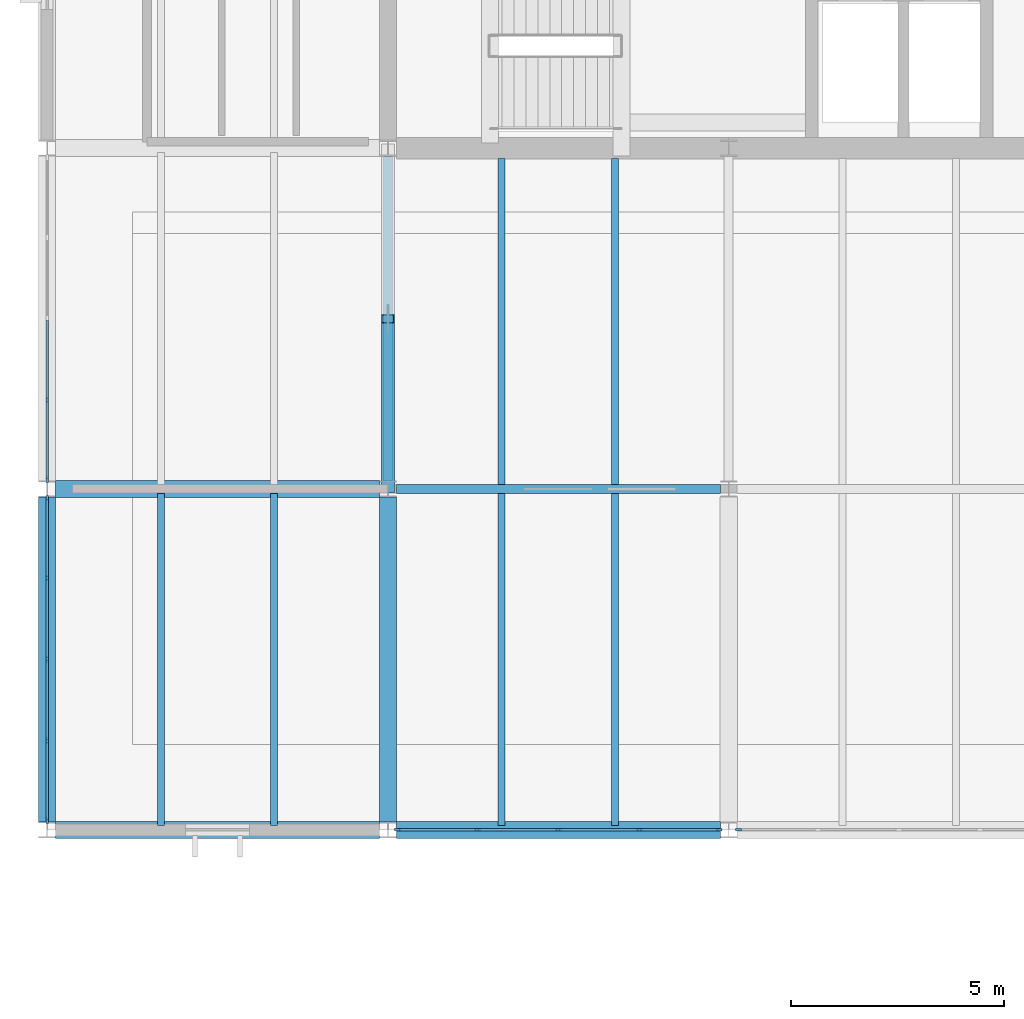
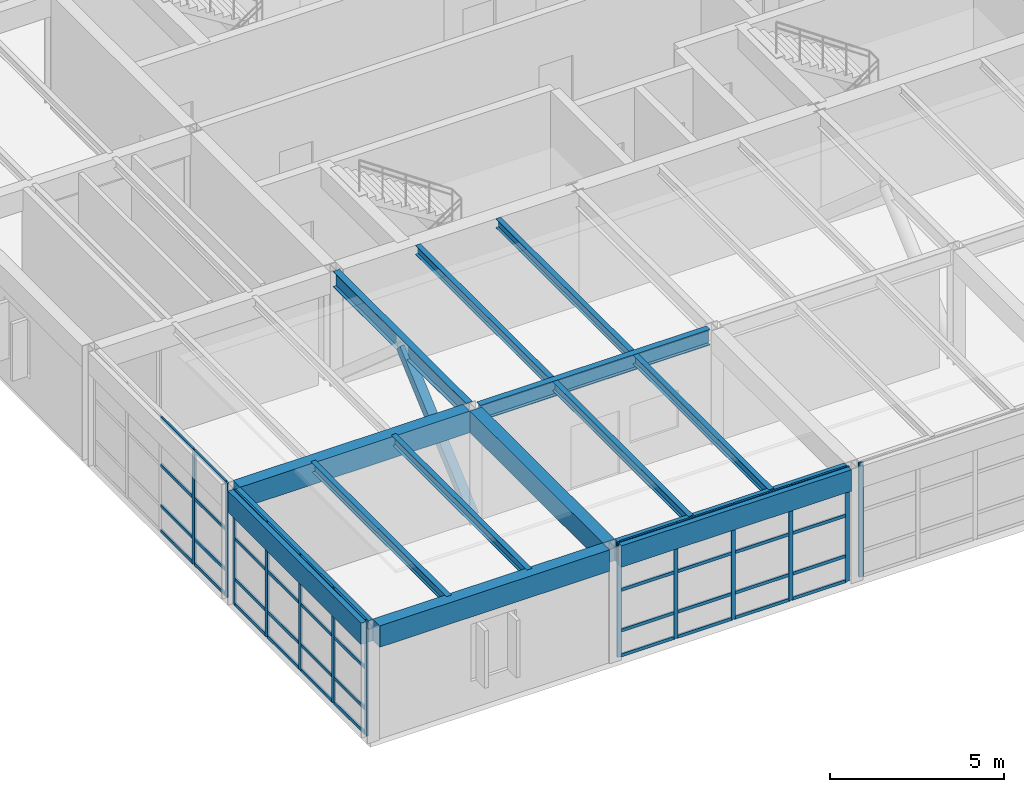
# One storey, part 7 of 48: 54 members, 13 beams, 4 elements without a shape of their own.
"""IFC4 building model written with IfcOpenShell, lengths in metres."""

from ifc_helpers import new_model, si_unit, direction, frame, origin, origin_2d, place, context, subcontext, project, spatial, rectangle, hollow_rectangle, i_section, extrude, material, layer, layer_set, material_profile, profile_set, type_object, element, aggregate, save


model = new_model("IFC4")

# Units and contexts
model_context = context("Model", 3, precision=1e-05, world=origin(), true_north=direction((0.0, 1.0)))
body_context = subcontext(model_context, "Body", "Model", "MODEL_VIEW")
ifc_project = project(units=[si_unit("LENGTHUNIT", "METRE"), si_unit("AREAUNIT", "SQUARE_METRE"), si_unit("VOLUMEUNIT", "CUBIC_METRE"), si_unit("PLANEANGLEUNIT", "RADIAN"), si_unit("MASSUNIT", "GRAM", prefix="KILO")], contexts=[model_context])

# Site, building, storey
site_placement = place(None, origin())
site = spatial("IfcSite", under=ifc_project, at=site_placement, CompositionType="ELEMENT")
building_placement = place(site_placement, origin())
building = spatial("IfcBuilding", under=site, at=building_placement, Name="Varnela Railside Interchange", CompositionType="ELEMENT")
storey_placement = place(building_placement, frame((0.0, 0.0, 11.199951171875)))
storey = spatial("IfcBuildingStorey", under=building, at=storey_placement, Name="L02", CompositionType="ELEMENT", Elevation=11.199951171875)

# Beams
ifc_material_1 = material(Name="Steel AR 350 (350 MPa)", Category="steel")
ifc_material_profile_1 = material_profile(ifc_material_1, i_section(OverallWidth=0.2109375, OverallDepth=0.5390625, WebThickness=0.01171875, FlangeThickness=0.018798828125, at=origin_2d()), Name="W530x109")
ifc_profile_set_1 = profile_set([ifc_material_profile_1], Name="Steel AR 350 (350 MPa)")
beam_type_1 = type_object("IfcBeamType", Name="Composite Girder B-17", PredefinedType="BEAM", material=ifc_profile_set_1)
beam_1_placement = place(storey_placement, frame((12.0, 46.1875, 3.73046875), z_axis=(0.0, 1.0, 0.0), x_axis=(-1.0, 0.0, 0.0)))
element("IfcBeam", 1, at=beam_1_placement, inside=storey, type_object=beam_type_1, Name="Composite Girder B-17 (L02) (BM-2064)", PredefinedType="BEAM", context=body_context, shape_type="SweptSolid", body=[
    extrude(i_section(OverallWidth=0.2109375, OverallDepth=0.5390625, WebThickness=0.01171875, FlangeThickness=0.018798828125, at=origin_2d()), origin(), (0.0, 0.0, 1.0), 7.618896484375),
])
ifc_material_profile_2 = material_profile(ifc_material_1, i_section(OverallWidth=0.2119140625, OverallDepth=0.5439453125, WebThickness=0.01318359375, FlangeThickness=0.021240234375, at=origin_2d()), Name="W530x123")
ifc_profile_set_2 = profile_set([ifc_material_profile_2], Name="Steel AR 350 (350 MPa)")
beam_type_2 = type_object("IfcBeamType", Name="Composite Heavy Girder B-16", PredefinedType="BEAM", material=ifc_profile_set_2)
beam_2_placement = place(storey_placement, frame((12.197021484375, 46.0, 3.72802734375), z_axis=(1.0, 0.0, 0.0), x_axis=(0.0, 1.0, 0.0)))
element("IfcBeam", 2, at=beam_2_placement, inside=storey, type_object=beam_type_2, Name="Composite Heavy Girder B-16 (L02) (BM-1954)", PredefinedType="BEAM", context=body_context, shape_type="SweptSolid", body=[
    extrude(i_section(OverallWidth=0.2119140625, OverallDepth=0.5439453125, WebThickness=0.01318359375, FlangeThickness=0.021240234375, at=origin_2d()), origin(), (0.0, 0.0, 1.0), 7.60595703125),
])
ifc_material_profile_3 = material_profile(ifc_material_1, i_section(OverallWidth=0.1669921875, OverallDepth=0.31689453125, WebThickness=0.007568359375, FlangeThickness=0.01318359375, at=origin_2d()), Name="W310x52")
ifc_profile_set_3 = profile_set([ifc_material_profile_3], Name="Steel AR 350 (350 MPa)")
beam_type_3 = type_object("IfcBeamType", Name="Composite Long-Span Joist J-03", PredefinedType="JOIST", material=ifc_profile_set_3)
for number, where, z_axis, x_axis, name in (
    (3, (6.669921875, 38.10595703125, 3.841552734375), (0.0, 1.0, 0.0), (-1.0, 0.0, 0.0), "Composite Long-Span Joist J-03 (L02) (BM-1827)"),
    (4, (9.330078125, 38.10595703125, 3.841552734375), (0.0, 1.0, 0.0), (-1.0, 0.0, 0.0), "Composite Long-Span Joist J-03 (L02) (BM-1828)"),
    (5, (14.669921875, 38.10595703125, 3.841552734375), (0.0, 1.0, 0.0), (-1.0, 0.0, 0.0), "Composite Long-Span Joist J-03 (L02) (BM-1878)"),
    (6, (17.330078125, 38.10595703125, 3.841552734375), (0.0, 1.0, 0.0), (-1.0, 0.0, 0.0), "Composite Long-Span Joist J-03 (L02) (BM-1879)"),
):
    element("IfcBeam", number, at=place(storey_placement, frame(where, z_axis=z_axis, x_axis=x_axis)), inside=storey, type_object=beam_type_3, Name=name, PredefinedType="JOIST", context=body_context, shape_type="SweptSolid", body=[
        extrude(i_section(OverallWidth=0.1669921875, OverallDepth=0.31689453125, WebThickness=0.007568359375, FlangeThickness=0.01318359375, at=origin_2d()), origin(), (0.0, 0.0, 1.0), 7.7880859375),
    ])
for number, where, z_axis, x_axis, name in (
    (7, (14.669921875, 46.10595703125, 3.841552734375), (0.0, 1.0, 0.0), (-1.0, 0.0, 0.0), "Composite Long-Span Joist J-03 (L02) (BM-1880)"),
    (8, (17.330078125, 46.10595703125, 3.841552734375), (0.0, 1.0, 0.0), (-1.0, 0.0, 0.0), "Composite Long-Span Joist J-03 (L02) (BM-1881)"),
):
    element("IfcBeam", number, at=place(storey_placement, frame(where, z_axis=z_axis, x_axis=x_axis)), inside=storey, type_object=beam_type_3, Name=name, PredefinedType="JOIST", context=body_context, shape_type="SweptSolid", body=[
        extrude(i_section(OverallWidth=0.1669921875, OverallDepth=0.31689453125, WebThickness=0.007568359375, FlangeThickness=0.01318359375, at=origin_2d()), origin(), (0.0, 0.0, 1.0), 7.654052734375),
    ])

# Curtain wall, member
ifc_material_2 = material(Name="Aluminium 6063-T6", Category="aluminium")
ifc_layer = layer(ifc_material_2, 0.035888671875)
ifc_layer_set = layer_set([ifc_layer], Name="Aluminium 6063-T6")
curtain_wall_type = type_object("IfcCurtainWallType", Name="Operations Wing Facade Curtain Wall CW-03", PredefinedType="USERDEFINED", material=ifc_layer_set)
curtain_wall_1_placement = place(storey_placement, origin())
curtain_wall_1 = element("IfcCurtainWall", 9, at=curtain_wall_1_placement, inside=storey, type_object=curtain_wall_type, Name="Curtain Wall CW-03 (L02) (CW-070)", ObjectType="CURTAIN WALL", PredefinedType="USERDEFINED")
ifc_material_profile_4 = material_profile(ifc_material_2, rectangle(XDim=0.06005859375, YDim=0.139892578125, at=origin_2d()), Name="ALU 60x140")
ifc_profile_set_4 = profile_set([ifc_material_profile_4], Name="Aluminium 6063-T6")
member_type_1 = type_object("IfcMemberType", Name="Curtain Wall Mullion ML-01", PredefinedType="MULLION", material=ifc_profile_set_4)
member_1_placement = place(storey_placement, frame((20.22705078125, 38.0, 0.0), z_axis=(0.0, 0.0, 1.0), x_axis=(0.0, -1.0, 0.0)))
member_1 = element("IfcMember", 10, at=member_1_placement, type_object=member_type_1, Name="CW-03 mullion 5", PredefinedType="MULLION", context=body_context, shape_type="SweptSolid", body=[
    extrude(rectangle(XDim=0.06005859375, YDim=0.139892578125, at=origin_2d()), origin(), (0.0, 0.0, 1.0), 4.0),
])
aggregate(curtain_wall_1, [member_1])

# Curtain wall, members
curtain_wall_2_placement = place(storey_placement, origin())
curtain_wall_2 = element("IfcCurtainWall", 11, at=curtain_wall_2_placement, inside=storey, type_object=curtain_wall_type, Name="Curtain Wall CW-03 (L02) (CW-071)", ObjectType="CURTAIN WALL", PredefinedType="USERDEFINED")
member_2_placement = place(storey_placement, frame((19.77294921875, 38.0, 0.0), z_axis=(0.0, 0.0, 1.0), x_axis=(0.0, -1.0, 0.0)))
member_2 = element("IfcMember", 12, at=member_2_placement, type_object=member_type_1, Name="CW-03 mullion 1", PredefinedType="MULLION", context=body_context, shape_type="SweptSolid", body=[
    extrude(rectangle(XDim=0.06005859375, YDim=0.139892578125, at=origin_2d()), origin(), (0.0, 0.0, 1.0), 4.0),
])
member_3_placement = place(storey_placement, frame((17.901611328125, 38.0, 0.0), z_axis=(0.0, 0.0, 1.0), x_axis=(0.0, -1.0, 0.0)))
member_3 = element("IfcMember", 13, at=member_3_placement, type_object=member_type_1, Name="CW-03 mullion 2", PredefinedType="MULLION", context=body_context, shape_type="SweptSolid", body=[
    extrude(rectangle(XDim=0.06005859375, YDim=0.139892578125, at=origin_2d()), origin(), (0.0, 0.0, 1.0), 4.0),
])
member_4_placement = place(storey_placement, frame((16.0, 38.0, 0.0), z_axis=(0.0, 0.0, 1.0), x_axis=(0.0, -1.0, 0.0)))
member_4 = element("IfcMember", 14, at=member_4_placement, type_object=member_type_1, Name="CW-03 mullion 3", PredefinedType="MULLION", context=body_context, shape_type="SweptSolid", body=[
    extrude(rectangle(XDim=0.06005859375, YDim=0.139892578125, at=origin_2d()), origin(), (0.0, 0.0, 1.0), 4.0),
])
member_5_placement = place(storey_placement, frame((14.098388671875, 38.0, 0.0), z_axis=(0.0, 0.0, 1.0), x_axis=(0.0, -1.0, 0.0)))
member_5 = element("IfcMember", 15, at=member_5_placement, type_object=member_type_1, Name="CW-03 mullion 4", PredefinedType="MULLION", context=body_context, shape_type="SweptSolid", body=[
    extrude(rectangle(XDim=0.06005859375, YDim=0.139892578125, at=origin_2d()), origin(), (0.0, 0.0, 1.0), 4.0),
])
member_6_placement = place(storey_placement, frame((12.22705078125, 38.0, 0.0), z_axis=(0.0, 0.0, 1.0), x_axis=(0.0, -1.0, 0.0)))
member_6 = element("IfcMember", 16, at=member_6_placement, type_object=member_type_1, Name="CW-03 mullion 5", PredefinedType="MULLION", context=body_context, shape_type="SweptSolid", body=[
    extrude(rectangle(XDim=0.06005859375, YDim=0.139892578125, at=origin_2d()), origin(), (0.0, 0.0, 1.0), 4.0),
])

curtain_wall_3_placement = place(storey_placement, origin())
curtain_wall_3 = element("IfcCurtainWall", 17, at=curtain_wall_3_placement, inside=storey, type_object=curtain_wall_type, Name="Curtain Wall CW-03 (L02) (CW-072)", ObjectType="CURTAIN WALL", PredefinedType="USERDEFINED")
member_7_placement = place(storey_placement, frame((4.0, 38.217529296875, 0.0), z_axis=(0.0, 0.0, 1.0), x_axis=(-1.0, 0.0, 0.0)))
member_7 = element("IfcMember", 18, at=member_7_placement, type_object=member_type_1, Name="CW-03 mullion 1", PredefinedType="MULLION", context=body_context, shape_type="SweptSolid", body=[
    extrude(rectangle(XDim=0.06005859375, YDim=0.139892578125, at=origin_2d()), origin(), (0.0, 0.0, 1.0), 4.0),
])
member_8_placement = place(storey_placement, frame((4.0, 40.09375, 0.0), z_axis=(0.0, 0.0, 1.0), x_axis=(-1.0, 0.0, 0.0)))
member_8 = element("IfcMember", 19, at=member_8_placement, type_object=member_type_1, Name="CW-03 mullion 2", PredefinedType="MULLION", context=body_context, shape_type="SweptSolid", body=[
    extrude(rectangle(XDim=0.06005859375, YDim=0.139892578125, at=origin_2d()), origin(), (0.0, 0.0, 1.0), 4.0),
])
member_9_placement = place(storey_placement, frame((4.0, 42.0, 0.0), z_axis=(0.0, 0.0, 1.0), x_axis=(-1.0, 0.0, 0.0)))
member_9 = element("IfcMember", 20, at=member_9_placement, type_object=member_type_1, Name="CW-03 mullion 3", PredefinedType="MULLION", context=body_context, shape_type="SweptSolid", body=[
    extrude(rectangle(XDim=0.06005859375, YDim=0.139892578125, at=origin_2d()), origin(), (0.0, 0.0, 1.0), 4.0),
])
member_10_placement = place(storey_placement, frame((4.0, 43.90625, 0.0), z_axis=(0.0, 0.0, 1.0), x_axis=(-1.0, 0.0, 0.0)))
member_10 = element("IfcMember", 21, at=member_10_placement, type_object=member_type_1, Name="CW-03 mullion 4", PredefinedType="MULLION", context=body_context, shape_type="SweptSolid", body=[
    extrude(rectangle(XDim=0.06005859375, YDim=0.139892578125, at=origin_2d()), origin(), (0.0, 0.0, 1.0), 4.0),
])
member_11_placement = place(storey_placement, frame((4.0, 45.782470703125, 0.0), z_axis=(0.0, 0.0, 1.0), x_axis=(-1.0, 0.0, 0.0)))
member_11 = element("IfcMember", 22, at=member_11_placement, type_object=member_type_1, Name="CW-03 mullion 5", PredefinedType="MULLION", context=body_context, shape_type="SweptSolid", body=[
    extrude(rectangle(XDim=0.06005859375, YDim=0.139892578125, at=origin_2d()), origin(), (0.0, 0.0, 1.0), 4.0),
])

curtain_wall_4_placement = place(storey_placement, origin())
curtain_wall_4 = element("IfcCurtainWall", 23, at=curtain_wall_4_placement, inside=storey, type_object=curtain_wall_type, Name="Curtain Wall CW-03 (L02) (CW-073)", ObjectType="CURTAIN WALL", PredefinedType="USERDEFINED")
member_12_placement = place(storey_placement, frame((4.0, 46.217529296875, 0.0), z_axis=(0.0, 0.0, 1.0), x_axis=(-1.0, 0.0, 0.0)))
member_12 = element("IfcMember", 24, at=member_12_placement, type_object=member_type_1, Name="CW-03 mullion 1", PredefinedType="MULLION", context=body_context, shape_type="SweptSolid", body=[
    extrude(rectangle(XDim=0.06005859375, YDim=0.139892578125, at=origin_2d()), origin(), (0.0, 0.0, 1.0), 4.0),
])
member_13_placement = place(storey_placement, frame((4.0, 48.09375, 0.0), z_axis=(0.0, 0.0, 1.0), x_axis=(-1.0, 0.0, 0.0)))
member_13 = element("IfcMember", 25, at=member_13_placement, type_object=member_type_1, Name="CW-03 mullion 2", PredefinedType="MULLION", context=body_context, shape_type="SweptSolid", body=[
    extrude(rectangle(XDim=0.06005859375, YDim=0.139892578125, at=origin_2d()), origin(), (0.0, 0.0, 1.0), 4.0),
])

# Member
ifc_material_profile_5 = material_profile(ifc_material_2, rectangle(XDim=0.06005859375, YDim=0.110107421875, at=origin_2d()), Name="ALU 60x110")
ifc_profile_set_5 = profile_set([ifc_material_profile_5], Name="Aluminium 6063-T6")
member_type_2 = type_object("IfcMemberType", Name="Curtain Wall Transom TR-01", PredefinedType="USERDEFINED", material=ifc_profile_set_5)
member_14_placement = place(storey_placement, frame((19.742919921875, 38.0, 0.030029296875), z_axis=(-1.0, 0.0, 0.0), x_axis=(0.0, -1.0, 0.0)))
member_14 = element("IfcMember", 26, at=member_14_placement, type_object=member_type_2, Name="CW-03 transom 1.1", ObjectType="TRANSOM", PredefinedType="USERDEFINED", context=body_context, shape_type="SweptSolid", body=[
    extrude(rectangle(XDim=0.06005859375, YDim=0.110107421875, at=origin_2d()), origin(), (0.0, 0.0, 1.0), 1.8115234375),
])

member_15_placement = place(storey_placement, frame((19.742919921875, 38.0, 0.900146484375), z_axis=(-1.0, 0.0, 0.0), x_axis=(0.0, -1.0, 0.0)))
member_15 = element("IfcMember", 27, at=member_15_placement, type_object=member_type_2, Name="CW-03 transom 1.2", ObjectType="TRANSOM", PredefinedType="USERDEFINED", context=body_context, shape_type="SweptSolid", body=[
    extrude(rectangle(XDim=0.06005859375, YDim=0.110107421875, at=origin_2d()), origin(), (0.0, 0.0, 1.0), 1.8115234375),
])

member_16_placement = place(storey_placement, frame((19.742919921875, 38.0, 2.320068359375), z_axis=(-1.0, 0.0, 0.0), x_axis=(0.0, -1.0, 0.0)))
member_16 = element("IfcMember", 28, at=member_16_placement, type_object=member_type_2, Name="CW-03 transom 1.3", ObjectType="TRANSOM", PredefinedType="USERDEFINED", context=body_context, shape_type="SweptSolid", body=[
    extrude(rectangle(XDim=0.06005859375, YDim=0.110107421875, at=origin_2d()), origin(), (0.0, 0.0, 1.0), 1.8115234375),
])

member_17_placement = place(storey_placement, frame((19.742919921875, 38.0, 3.969970703125), z_axis=(-1.0, 0.0, 0.0), x_axis=(0.0, -1.0, 0.0)))
member_17 = element("IfcMember", 29, at=member_17_placement, type_object=member_type_2, Name="CW-03 transom 1.4", ObjectType="TRANSOM", PredefinedType="USERDEFINED", context=body_context, shape_type="SweptSolid", body=[
    extrude(rectangle(XDim=0.06005859375, YDim=0.110107421875, at=origin_2d()), origin(), (0.0, 0.0, 1.0), 1.8115234375),
])

member_18_placement = place(storey_placement, frame((17.87158203125, 38.0, 0.030029296875), z_axis=(-1.0, 0.0, 0.0), x_axis=(0.0, -1.0, 0.0)))
member_18 = element("IfcMember", 30, at=member_18_placement, type_object=member_type_2, Name="CW-03 transom 2.1", ObjectType="TRANSOM", PredefinedType="USERDEFINED", context=body_context, shape_type="SweptSolid", body=[
    extrude(rectangle(XDim=0.06005859375, YDim=0.110107421875, at=origin_2d()), origin(), (0.0, 0.0, 1.0), 1.841552734375),
])

member_19_placement = place(storey_placement, frame((17.87158203125, 38.0, 0.900146484375), z_axis=(-1.0, 0.0, 0.0), x_axis=(0.0, -1.0, 0.0)))
member_19 = element("IfcMember", 31, at=member_19_placement, type_object=member_type_2, Name="CW-03 transom 2.2", ObjectType="TRANSOM", PredefinedType="USERDEFINED", context=body_context, shape_type="SweptSolid", body=[
    extrude(rectangle(XDim=0.06005859375, YDim=0.110107421875, at=origin_2d()), origin(), (0.0, 0.0, 1.0), 1.841552734375),
])

member_20_placement = place(storey_placement, frame((17.87158203125, 38.0, 2.320068359375), z_axis=(-1.0, 0.0, 0.0), x_axis=(0.0, -1.0, 0.0)))
member_20 = element("IfcMember", 32, at=member_20_placement, type_object=member_type_2, Name="CW-03 transom 2.3", ObjectType="TRANSOM", PredefinedType="USERDEFINED", context=body_context, shape_type="SweptSolid", body=[
    extrude(rectangle(XDim=0.06005859375, YDim=0.110107421875, at=origin_2d()), origin(), (0.0, 0.0, 1.0), 1.841552734375),
])

member_21_placement = place(storey_placement, frame((17.87158203125, 38.0, 3.969970703125), z_axis=(-1.0, 0.0, 0.0), x_axis=(0.0, -1.0, 0.0)))
member_21 = element("IfcMember", 33, at=member_21_placement, type_object=member_type_2, Name="CW-03 transom 2.4", ObjectType="TRANSOM", PredefinedType="USERDEFINED", context=body_context, shape_type="SweptSolid", body=[
    extrude(rectangle(XDim=0.06005859375, YDim=0.110107421875, at=origin_2d()), origin(), (0.0, 0.0, 1.0), 1.841552734375),
])

member_22_placement = place(storey_placement, frame((15.969970703125, 38.0, 0.030029296875), z_axis=(-1.0, 0.0, 0.0), x_axis=(0.0, -1.0, 0.0)))
member_22 = element("IfcMember", 34, at=member_22_placement, type_object=member_type_2, Name="CW-03 transom 3.1", ObjectType="TRANSOM", PredefinedType="USERDEFINED", context=body_context, shape_type="SweptSolid", body=[
    extrude(rectangle(XDim=0.06005859375, YDim=0.110107421875, at=origin_2d()), origin(), (0.0, 0.0, 1.0), 1.841552734375),
])

member_23_placement = place(storey_placement, frame((15.969970703125, 38.0, 0.900146484375), z_axis=(-1.0, 0.0, 0.0), x_axis=(0.0, -1.0, 0.0)))
member_23 = element("IfcMember", 35, at=member_23_placement, type_object=member_type_2, Name="CW-03 transom 3.2", ObjectType="TRANSOM", PredefinedType="USERDEFINED", context=body_context, shape_type="SweptSolid", body=[
    extrude(rectangle(XDim=0.06005859375, YDim=0.110107421875, at=origin_2d()), origin(), (0.0, 0.0, 1.0), 1.841552734375),
])

member_24_placement = place(storey_placement, frame((15.969970703125, 38.0, 2.320068359375), z_axis=(-1.0, 0.0, 0.0), x_axis=(0.0, -1.0, 0.0)))
member_24 = element("IfcMember", 36, at=member_24_placement, type_object=member_type_2, Name="CW-03 transom 3.3", ObjectType="TRANSOM", PredefinedType="USERDEFINED", context=body_context, shape_type="SweptSolid", body=[
    extrude(rectangle(XDim=0.06005859375, YDim=0.110107421875, at=origin_2d()), origin(), (0.0, 0.0, 1.0), 1.841552734375),
])

member_25_placement = place(storey_placement, frame((15.969970703125, 38.0, 3.969970703125), z_axis=(-1.0, 0.0, 0.0), x_axis=(0.0, -1.0, 0.0)))
member_25 = element("IfcMember", 37, at=member_25_placement, type_object=member_type_2, Name="CW-03 transom 3.4", ObjectType="TRANSOM", PredefinedType="USERDEFINED", context=body_context, shape_type="SweptSolid", body=[
    extrude(rectangle(XDim=0.06005859375, YDim=0.110107421875, at=origin_2d()), origin(), (0.0, 0.0, 1.0), 1.841552734375),
])

member_26_placement = place(storey_placement, frame((14.068603515625, 38.0, 0.030029296875), z_axis=(-1.0, 0.0, 0.0), x_axis=(0.0, -1.0, 0.0)))
member_26 = element("IfcMember", 38, at=member_26_placement, type_object=member_type_2, Name="CW-03 transom 4.1", ObjectType="TRANSOM", PredefinedType="USERDEFINED", context=body_context, shape_type="SweptSolid", body=[
    extrude(rectangle(XDim=0.06005859375, YDim=0.110107421875, at=origin_2d()), origin(), (0.0, 0.0, 1.0), 1.8115234375),
])

member_27_placement = place(storey_placement, frame((14.068603515625, 38.0, 0.900146484375), z_axis=(-1.0, 0.0, 0.0), x_axis=(0.0, -1.0, 0.0)))
member_27 = element("IfcMember", 39, at=member_27_placement, type_object=member_type_2, Name="CW-03 transom 4.2", ObjectType="TRANSOM", PredefinedType="USERDEFINED", context=body_context, shape_type="SweptSolid", body=[
    extrude(rectangle(XDim=0.06005859375, YDim=0.110107421875, at=origin_2d()), origin(), (0.0, 0.0, 1.0), 1.8115234375),
])

member_28_placement = place(storey_placement, frame((14.068603515625, 38.0, 2.320068359375), z_axis=(-1.0, 0.0, 0.0), x_axis=(0.0, -1.0, 0.0)))
member_28 = element("IfcMember", 40, at=member_28_placement, type_object=member_type_2, Name="CW-03 transom 4.3", ObjectType="TRANSOM", PredefinedType="USERDEFINED", context=body_context, shape_type="SweptSolid", body=[
    extrude(rectangle(XDim=0.06005859375, YDim=0.110107421875, at=origin_2d()), origin(), (0.0, 0.0, 1.0), 1.8115234375),
])

member_29_placement = place(storey_placement, frame((14.068603515625, 38.0, 3.969970703125), z_axis=(-1.0, 0.0, 0.0), x_axis=(0.0, -1.0, 0.0)))
member_29 = element("IfcMember", 41, at=member_29_placement, type_object=member_type_2, Name="CW-03 transom 4.4", ObjectType="TRANSOM", PredefinedType="USERDEFINED", context=body_context, shape_type="SweptSolid", body=[
    extrude(rectangle(XDim=0.06005859375, YDim=0.110107421875, at=origin_2d()), origin(), (0.0, 0.0, 1.0), 1.8115234375),
])

aggregate(curtain_wall_2, [member_2, member_3, member_4, member_5, member_6, member_14, member_15, member_16, member_17, member_18, member_19, member_20, member_21, member_22, member_23, member_24, member_25, member_26, member_27, member_28, member_29])

member_30_placement = place(storey_placement, frame((4.0, 38.24755859375, 0.030029296875), z_axis=(0.0, 1.0, 0.0), x_axis=(-1.0, 0.0, 0.0)))
member_30 = element("IfcMember", 42, at=member_30_placement, type_object=member_type_2, Name="CW-03 transom 1.1", ObjectType="TRANSOM", PredefinedType="USERDEFINED", context=body_context, shape_type="SweptSolid", body=[
    extrude(rectangle(XDim=0.06005859375, YDim=0.110107421875, at=origin_2d()), origin(), (0.0, 0.0, 1.0), 1.816162109375),
])

member_31_placement = place(storey_placement, frame((4.0, 38.24755859375, 0.900146484375), z_axis=(0.0, 1.0, 0.0), x_axis=(-1.0, 0.0, 0.0)))
member_31 = element("IfcMember", 43, at=member_31_placement, type_object=member_type_2, Name="CW-03 transom 1.2", ObjectType="TRANSOM", PredefinedType="USERDEFINED", context=body_context, shape_type="SweptSolid", body=[
    extrude(rectangle(XDim=0.06005859375, YDim=0.110107421875, at=origin_2d()), origin(), (0.0, 0.0, 1.0), 1.816162109375),
])

member_32_placement = place(storey_placement, frame((4.0, 38.24755859375, 2.320068359375), z_axis=(0.0, 1.0, 0.0), x_axis=(-1.0, 0.0, 0.0)))
member_32 = element("IfcMember", 44, at=member_32_placement, type_object=member_type_2, Name="CW-03 transom 1.3", ObjectType="TRANSOM", PredefinedType="USERDEFINED", context=body_context, shape_type="SweptSolid", body=[
    extrude(rectangle(XDim=0.06005859375, YDim=0.110107421875, at=origin_2d()), origin(), (0.0, 0.0, 1.0), 1.816162109375),
])

member_33_placement = place(storey_placement, frame((4.0, 38.24755859375, 3.969970703125), z_axis=(0.0, 1.0, 0.0), x_axis=(-1.0, 0.0, 0.0)))
member_33 = element("IfcMember", 45, at=member_33_placement, type_object=member_type_2, Name="CW-03 transom 1.4", ObjectType="TRANSOM", PredefinedType="USERDEFINED", context=body_context, shape_type="SweptSolid", body=[
    extrude(rectangle(XDim=0.06005859375, YDim=0.110107421875, at=origin_2d()), origin(), (0.0, 0.0, 1.0), 1.816162109375),
])

member_34_placement = place(storey_placement, frame((4.0, 40.123779296875, 0.030029296875), z_axis=(0.0, 1.0, 0.0), x_axis=(-1.0, 0.0, 0.0)))
member_34 = element("IfcMember", 46, at=member_34_placement, type_object=member_type_2, Name="CW-03 transom 2.1", ObjectType="TRANSOM", PredefinedType="USERDEFINED", context=body_context, shape_type="SweptSolid", body=[
    extrude(rectangle(XDim=0.06005859375, YDim=0.110107421875, at=origin_2d()), origin(), (0.0, 0.0, 1.0), 1.84619140625),
])

member_35_placement = place(storey_placement, frame((4.0, 40.123779296875, 0.900146484375), z_axis=(0.0, 1.0, 0.0), x_axis=(-1.0, 0.0, 0.0)))
member_35 = element("IfcMember", 47, at=member_35_placement, type_object=member_type_2, Name="CW-03 transom 2.2", ObjectType="TRANSOM", PredefinedType="USERDEFINED", context=body_context, shape_type="SweptSolid", body=[
    extrude(rectangle(XDim=0.06005859375, YDim=0.110107421875, at=origin_2d()), origin(), (0.0, 0.0, 1.0), 1.84619140625),
])

member_36_placement = place(storey_placement, frame((4.0, 40.123779296875, 2.320068359375), z_axis=(0.0, 1.0, 0.0), x_axis=(-1.0, 0.0, 0.0)))
member_36 = element("IfcMember", 48, at=member_36_placement, type_object=member_type_2, Name="CW-03 transom 2.3", ObjectType="TRANSOM", PredefinedType="USERDEFINED", context=body_context, shape_type="SweptSolid", body=[
    extrude(rectangle(XDim=0.06005859375, YDim=0.110107421875, at=origin_2d()), origin(), (0.0, 0.0, 1.0), 1.84619140625),
])

member_37_placement = place(storey_placement, frame((4.0, 40.123779296875, 3.969970703125), z_axis=(0.0, 1.0, 0.0), x_axis=(-1.0, 0.0, 0.0)))
member_37 = element("IfcMember", 49, at=member_37_placement, type_object=member_type_2, Name="CW-03 transom 2.4", ObjectType="TRANSOM", PredefinedType="USERDEFINED", context=body_context, shape_type="SweptSolid", body=[
    extrude(rectangle(XDim=0.06005859375, YDim=0.110107421875, at=origin_2d()), origin(), (0.0, 0.0, 1.0), 1.84619140625),
])

member_38_placement = place(storey_placement, frame((4.0, 42.030029296875, 0.030029296875), z_axis=(0.0, 1.0, 0.0), x_axis=(-1.0, 0.0, 0.0)))
member_38 = element("IfcMember", 50, at=member_38_placement, type_object=member_type_2, Name="CW-03 transom 3.1", ObjectType="TRANSOM", PredefinedType="USERDEFINED", context=body_context, shape_type="SweptSolid", body=[
    extrude(rectangle(XDim=0.06005859375, YDim=0.110107421875, at=origin_2d()), origin(), (0.0, 0.0, 1.0), 1.84619140625),
])

member_39_placement = place(storey_placement, frame((4.0, 42.030029296875, 0.900146484375), z_axis=(0.0, 1.0, 0.0), x_axis=(-1.0, 0.0, 0.0)))
member_39 = element("IfcMember", 51, at=member_39_placement, type_object=member_type_2, Name="CW-03 transom 3.2", ObjectType="TRANSOM", PredefinedType="USERDEFINED", context=body_context, shape_type="SweptSolid", body=[
    extrude(rectangle(XDim=0.06005859375, YDim=0.110107421875, at=origin_2d()), origin(), (0.0, 0.0, 1.0), 1.84619140625),
])

member_40_placement = place(storey_placement, frame((4.0, 42.030029296875, 2.320068359375), z_axis=(0.0, 1.0, 0.0), x_axis=(-1.0, 0.0, 0.0)))
member_40 = element("IfcMember", 52, at=member_40_placement, type_object=member_type_2, Name="CW-03 transom 3.3", ObjectType="TRANSOM", PredefinedType="USERDEFINED", context=body_context, shape_type="SweptSolid", body=[
    extrude(rectangle(XDim=0.06005859375, YDim=0.110107421875, at=origin_2d()), origin(), (0.0, 0.0, 1.0), 1.84619140625),
])

member_41_placement = place(storey_placement, frame((4.0, 42.030029296875, 3.969970703125), z_axis=(0.0, 1.0, 0.0), x_axis=(-1.0, 0.0, 0.0)))
member_41 = element("IfcMember", 53, at=member_41_placement, type_object=member_type_2, Name="CW-03 transom 3.4", ObjectType="TRANSOM", PredefinedType="USERDEFINED", context=body_context, shape_type="SweptSolid", body=[
    extrude(rectangle(XDim=0.06005859375, YDim=0.110107421875, at=origin_2d()), origin(), (0.0, 0.0, 1.0), 1.84619140625),
])

member_42_placement = place(storey_placement, frame((4.0, 43.936279296875, 0.030029296875), z_axis=(0.0, 1.0, 0.0), x_axis=(-1.0, 0.0, 0.0)))
member_42 = element("IfcMember", 54, at=member_42_placement, type_object=member_type_2, Name="CW-03 transom 4.1", ObjectType="TRANSOM", PredefinedType="USERDEFINED", context=body_context, shape_type="SweptSolid", body=[
    extrude(rectangle(XDim=0.06005859375, YDim=0.110107421875, at=origin_2d()), origin(), (0.0, 0.0, 1.0), 1.816162109375),
])

member_43_placement = place(storey_placement, frame((4.0, 43.936279296875, 0.900146484375), z_axis=(0.0, 1.0, 0.0), x_axis=(-1.0, 0.0, 0.0)))
member_43 = element("IfcMember", 55, at=member_43_placement, type_object=member_type_2, Name="CW-03 transom 4.2", ObjectType="TRANSOM", PredefinedType="USERDEFINED", context=body_context, shape_type="SweptSolid", body=[
    extrude(rectangle(XDim=0.06005859375, YDim=0.110107421875, at=origin_2d()), origin(), (0.0, 0.0, 1.0), 1.816162109375),
])

member_44_placement = place(storey_placement, frame((4.0, 43.936279296875, 2.320068359375), z_axis=(0.0, 1.0, 0.0), x_axis=(-1.0, 0.0, 0.0)))
member_44 = element("IfcMember", 56, at=member_44_placement, type_object=member_type_2, Name="CW-03 transom 4.3", ObjectType="TRANSOM", PredefinedType="USERDEFINED", context=body_context, shape_type="SweptSolid", body=[
    extrude(rectangle(XDim=0.06005859375, YDim=0.110107421875, at=origin_2d()), origin(), (0.0, 0.0, 1.0), 1.816162109375),
])

member_45_placement = place(storey_placement, frame((4.0, 43.936279296875, 3.969970703125), z_axis=(0.0, 1.0, 0.0), x_axis=(-1.0, 0.0, 0.0)))
member_45 = element("IfcMember", 57, at=member_45_placement, type_object=member_type_2, Name="CW-03 transom 4.4", ObjectType="TRANSOM", PredefinedType="USERDEFINED", context=body_context, shape_type="SweptSolid", body=[
    extrude(rectangle(XDim=0.06005859375, YDim=0.110107421875, at=origin_2d()), origin(), (0.0, 0.0, 1.0), 1.816162109375),
])

aggregate(curtain_wall_3, [member_7, member_8, member_9, member_10, member_11, member_30, member_31, member_32, member_33, member_34, member_35, member_36, member_37, member_38, member_39, member_40, member_41, member_42, member_43, member_44, member_45])

member_46_placement = place(storey_placement, frame((4.0, 46.24755859375, 0.030029296875), z_axis=(0.0, 1.0, 0.0), x_axis=(-1.0, 0.0, 0.0)))
member_46 = element("IfcMember", 58, at=member_46_placement, type_object=member_type_2, Name="CW-03 transom 1.1", ObjectType="TRANSOM", PredefinedType="USERDEFINED", context=body_context, shape_type="SweptSolid", body=[
    extrude(rectangle(XDim=0.06005859375, YDim=0.110107421875, at=origin_2d()), origin(), (0.0, 0.0, 1.0), 1.816162109375),
])

member_47_placement = place(storey_placement, frame((4.0, 46.24755859375, 0.900146484375), z_axis=(0.0, 1.0, 0.0), x_axis=(-1.0, 0.0, 0.0)))
member_47 = element("IfcMember", 59, at=member_47_placement, type_object=member_type_2, Name="CW-03 transom 1.2", ObjectType="TRANSOM", PredefinedType="USERDEFINED", context=body_context, shape_type="SweptSolid", body=[
    extrude(rectangle(XDim=0.06005859375, YDim=0.110107421875, at=origin_2d()), origin(), (0.0, 0.0, 1.0), 1.816162109375),
])

member_48_placement = place(storey_placement, frame((4.0, 46.24755859375, 2.320068359375), z_axis=(0.0, 1.0, 0.0), x_axis=(-1.0, 0.0, 0.0)))
member_48 = element("IfcMember", 60, at=member_48_placement, type_object=member_type_2, Name="CW-03 transom 1.3", ObjectType="TRANSOM", PredefinedType="USERDEFINED", context=body_context, shape_type="SweptSolid", body=[
    extrude(rectangle(XDim=0.06005859375, YDim=0.110107421875, at=origin_2d()), origin(), (0.0, 0.0, 1.0), 1.816162109375),
])

member_49_placement = place(storey_placement, frame((4.0, 46.24755859375, 3.969970703125), z_axis=(0.0, 1.0, 0.0), x_axis=(-1.0, 0.0, 0.0)))
member_49 = element("IfcMember", 61, at=member_49_placement, type_object=member_type_2, Name="CW-03 transom 1.4", ObjectType="TRANSOM", PredefinedType="USERDEFINED", context=body_context, shape_type="SweptSolid", body=[
    extrude(rectangle(XDim=0.06005859375, YDim=0.110107421875, at=origin_2d()), origin(), (0.0, 0.0, 1.0), 1.816162109375),
])

member_50_placement = place(storey_placement, frame((4.0, 48.123779296875, 0.030029296875), z_axis=(0.0, 1.0, 0.0), x_axis=(-1.0, 0.0, 0.0)))
member_50 = element("IfcMember", 62, at=member_50_placement, type_object=member_type_2, Name="CW-03 transom 2.1", ObjectType="TRANSOM", PredefinedType="USERDEFINED", context=body_context, shape_type="SweptSolid", body=[
    extrude(rectangle(XDim=0.06005859375, YDim=0.110107421875, at=origin_2d()), origin(), (0.0, 0.0, 1.0), 1.84619140625),
])

member_51_placement = place(storey_placement, frame((4.0, 48.123779296875, 0.900146484375), z_axis=(0.0, 1.0, 0.0), x_axis=(-1.0, 0.0, 0.0)))
member_51 = element("IfcMember", 63, at=member_51_placement, type_object=member_type_2, Name="CW-03 transom 2.2", ObjectType="TRANSOM", PredefinedType="USERDEFINED", context=body_context, shape_type="SweptSolid", body=[
    extrude(rectangle(XDim=0.06005859375, YDim=0.110107421875, at=origin_2d()), origin(), (0.0, 0.0, 1.0), 1.84619140625),
])

member_52_placement = place(storey_placement, frame((4.0, 48.123779296875, 2.320068359375), z_axis=(0.0, 1.0, 0.0), x_axis=(-1.0, 0.0, 0.0)))
member_52 = element("IfcMember", 64, at=member_52_placement, type_object=member_type_2, Name="CW-03 transom 2.3", ObjectType="TRANSOM", PredefinedType="USERDEFINED", context=body_context, shape_type="SweptSolid", body=[
    extrude(rectangle(XDim=0.06005859375, YDim=0.110107421875, at=origin_2d()), origin(), (0.0, 0.0, 1.0), 1.84619140625),
])

member_53_placement = place(storey_placement, frame((4.0, 48.123779296875, 3.969970703125), z_axis=(0.0, 1.0, 0.0), x_axis=(-1.0, 0.0, 0.0)))
member_53 = element("IfcMember", 65, at=member_53_placement, type_object=member_type_2, Name="CW-03 transom 2.4", ObjectType="TRANSOM", PredefinedType="USERDEFINED", context=body_context, shape_type="SweptSolid", body=[
    extrude(rectangle(XDim=0.06005859375, YDim=0.110107421875, at=origin_2d()), origin(), (0.0, 0.0, 1.0), 1.84619140625),
])

aggregate(curtain_wall_4, [member_12, member_13, member_46, member_47, member_48, member_49, member_50, member_51, member_52, member_53])

ifc_material_profile_6 = material_profile(ifc_material_1, hollow_rectangle(XDim=0.300048828125, YDim=0.300048828125, WallThickness=0.01611328125, at=origin_2d()), Name="HSS 300x300x16")
ifc_profile_set_6 = profile_set([ifc_material_profile_6], Name="Steel AR 350 (350 MPa)")
member_type_3 = type_object("IfcMemberType", Name="Lateral Chevron Brace BR-01", PredefinedType="BRACE", material=ifc_profile_set_6)
member_54_placement = place(storey_placement, frame((12.0, 46.0, 0.150146484375), z_axis=(0.0, 0.752576694707, 0.658504607869), x_axis=(-1.0, 0.0, 0.0)))
element("IfcMember", 66, at=member_54_placement, inside=storey, type_object=member_type_3, Name="Lateral Chevron Brace BR-01 (L02) (MB-0083)", PredefinedType="BRACE", context=body_context, shape_type="SweptSolid", body=[
    extrude(hollow_rectangle(XDim=0.300048828125, YDim=0.300048828125, WallThickness=0.01611328125, at=origin_2d()), origin(), (0.0, 0.0, 1.0), 5.315185546875),
])

# Beams
ifc_material_3 = material(Name="Concrete C40 precast", Category="concrete")
ifc_material_profile_7 = material_profile(ifc_material_3, rectangle(XDim=0.39990234375, YDim=0.75, at=origin_2d()), Name="PC 400x750")
ifc_profile_set_7 = profile_set([ifc_material_profile_7], Name="Concrete C40 precast")
beam_type_4 = type_object("IfcBeamType", Name="Precast Facade Spandrel SP-03", PredefinedType="SPANDREL", material=ifc_profile_set_7)
for number, where, z_axis, x_axis, name in (
    (67, (4.197021484375, 38.0, 3.625), (1.0, 0.0, 0.0), (0.0, 1.0, 0.0), "Precast Facade Spandrel SP-03 (L02) (BM-1945)"),
    (68, (12.197021484375, 38.0, 3.625), (1.0, 0.0, 0.0), (0.0, 1.0, 0.0), "Precast Facade Spandrel SP-03 (L02) (BM-1936)"),
    (69, (4.197021484375, 46.0, 3.625), (1.0, 0.0, 0.0), (0.0, 1.0, 0.0), "Precast Facade Spandrel SP-03 (L02) (BM-1963)"),
):
    element("IfcBeam", number, at=place(storey_placement, frame(where, z_axis=z_axis, x_axis=x_axis)), inside=storey, type_object=beam_type_4, Name=name, PredefinedType="SPANDREL", context=body_context, shape_type="SweptSolid", body=[
        extrude(rectangle(XDim=0.39990234375, YDim=0.75, at=origin_2d()), origin(), (0.0, 0.0, 1.0), 7.60595703125),
    ])
for number, where, z_axis, x_axis, name in (
    (70, (4.0, 38.1875, 3.625), (0.0, 1.0, 0.0), (-1.0, 0.0, 0.0), "Precast Facade Spandrel SP-03 (L02) (BM-2050)"),
    (71, (12.0, 38.1875, 3.625), (0.0, 1.0, 0.0), (-1.0, 0.0, 0.0), "Precast Facade Spandrel SP-03 (L02) (BM-2063)"),
):
    element("IfcBeam", number, at=place(storey_placement, frame(where, z_axis=z_axis, x_axis=x_axis)), inside=storey, type_object=beam_type_4, Name=name, PredefinedType="SPANDREL", context=body_context, shape_type="SweptSolid", body=[
        extrude(rectangle(XDim=0.39990234375, YDim=0.75, at=origin_2d()), origin(), (0.0, 0.0, 1.0), 7.625),
    ])

save(model, "model.ifc")
